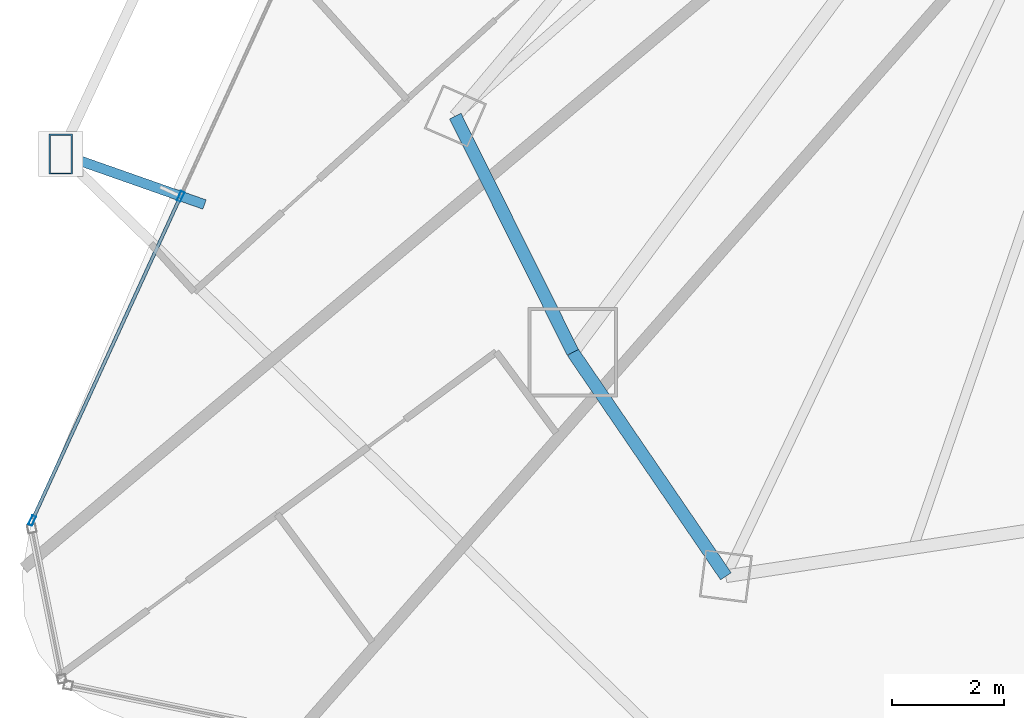
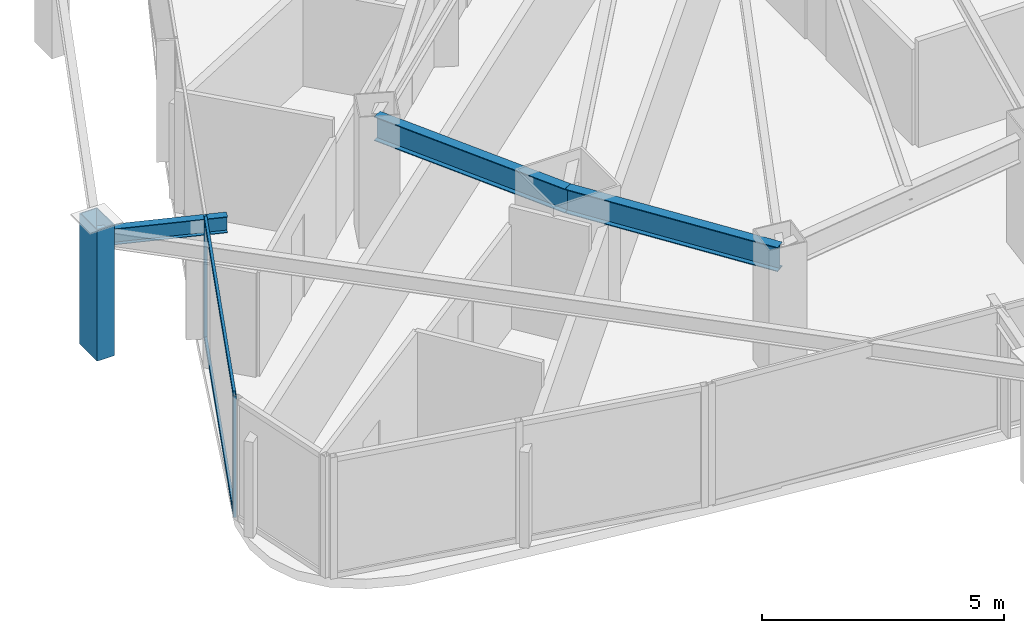
# One storey, part 5 of 38: 5 members, 3 beams, 1 element without a shape of its own.
"""IFC4 building model written with IfcOpenShell, lengths in metres."""

from ifc_helpers import new_model, si_unit, direction, frame, origin, origin_2d, place, context, subcontext, project, spatial, hollow_rectangle, i_section, extrude, material, layer, layer_set, material_profile, profile_set, type_object, element, aggregate, save


model = new_model("IFC4")

# Units and contexts
model_context = context("Model", 3, precision=1e-05, world=origin(), true_north=direction((0.0, 1.0)))
body_context = subcontext(model_context, "Body", "Model", "MODEL_VIEW")
ifc_project = project(units=[si_unit("LENGTHUNIT", "METRE"), si_unit("AREAUNIT", "SQUARE_METRE"), si_unit("VOLUMEUNIT", "CUBIC_METRE"), si_unit("PLANEANGLEUNIT", "RADIAN"), si_unit("MASSUNIT", "GRAM", prefix="KILO")], contexts=[model_context])

# Site, building, storey
site_placement = place(None, origin())
site = spatial("IfcSite", under=ifc_project, at=site_placement, CompositionType="ELEMENT")
building_placement = place(site_placement, origin())
building = spatial("IfcBuilding", under=site, at=building_placement, Name="Orvanel Arch Residences", CompositionType="ELEMENT")
storey_placement = place(building_placement, frame((0.0, 0.0, 50.0)))
storey = spatial("IfcBuildingStorey", under=building, at=storey_placement, Name="L13", CompositionType="ELEMENT", Elevation=50.0)

# Member
ifc_material_1 = material(Name="Structural steel AS/NZS 3678 Grade 350", Category="steel")
ifc_material_profile_1 = material_profile(ifc_material_1, hollow_rectangle(XDim=0.419921875, YDim=0.719970703125, WallThickness=0.02490234375, at=origin_2d()), Name="RHS720x420x25")
ifc_profile_set_1 = profile_set([ifc_material_profile_1], Name="Structural steel AS/NZS 3678 Grade 350")
member_type_1 = type_object("IfcMemberType", Name="CH-720RHS-EXT", PredefinedType="CHORD", material=ifc_profile_set_1)
member_1_placement = place(storey_placement, frame((5.029052734375, 13.90087890625, 0.0), z_axis=(0.0, 0.0, 1.0), x_axis=(1.0, 0.0, 0.0)))
element("IfcMember", 1, at=member_1_placement, inside=storey, type_object=member_type_1, Name="L13 Outer Perimeter Frame Post 04", PredefinedType="CHORD", context=body_context, shape_type="SweptSolid", body=[
    extrude(hollow_rectangle(XDim=0.419921875, YDim=0.719970703125, WallThickness=0.02490234375, at=origin_2d()), origin(), (0.0, 0.0, 1.0), 3.300048828125),
])

# Curtain wall, members
ifc_material_2 = material(Name="Bronze-anodised aluminium AA6063-T6", Category="aluminium")
ifc_layer = layer(ifc_material_2, 0.179931640625)
ifc_layer_set = layer_set([ifc_layer], Name="Bronze-anodised aluminium AA6063-T6")
curtain_wall_type = type_object("IfcCurtainWallType", Name="CW2-LOW-SYS", PredefinedType="NOTDEFINED", material=ifc_layer_set)
curtain_wall_placement = place(storey_placement, origin())
curtain_wall = element("IfcCurtainWall", 2, at=curtain_wall_placement, inside=storey, type_object=curtain_wall_type, Name="L13 CW2-LOW-SYS Unitised Curtain Wall", PredefinedType="NOTDEFINED")
ifc_material_profile_2 = material_profile(ifc_material_2, hollow_rectangle(XDim=0.070068359375, YDim=0.179931640625, WallThickness=0.00439453125, at=origin_2d()), Name="ALU180x70x4.5")
ifc_profile_set_2 = profile_set([ifc_material_profile_2], Name="Bronze-anodised aluminium AA6063-T6")
member_type_2 = type_object("IfcMemberType", Name="MUL-180x70", PredefinedType="MULLION", material=ifc_profile_set_2)
member_2_placement = place(storey_placement, frame((7.17529296875, 13.1435546875, 0.0), z_axis=(0.0, 0.0, 1.0), x_axis=(0.909193369398, -0.416374131092, 0.0)))
member_2 = element("IfcMember", 3, at=member_2_placement, type_object=member_type_2, Name="CW-S2 mullion 3", PredefinedType="MULLION", context=body_context, shape_type="SweptSolid", body=[
    extrude(hollow_rectangle(XDim=0.070068359375, YDim=0.179931640625, WallThickness=0.00439453125, at=origin_2d()), origin(), (0.0, 0.0, 1.0), 3.06005859375),
])
member_3_placement = place(storey_placement, frame((4.515625, 7.3359375, 0.0), z_axis=(0.0, 0.0, 1.0), x_axis=(0.909193369398, -0.416374131092, 0.0)))
member_3 = element("IfcMember", 4, at=member_3_placement, type_object=member_type_2, Name="CW-S2 mullion 4", PredefinedType="MULLION", context=body_context, shape_type="SweptSolid", body=[
    extrude(hollow_rectangle(XDim=0.070068359375, YDim=0.179931640625, WallThickness=0.00439453125, at=origin_2d()), origin(), (0.0, 0.0, 1.0), 3.06005859375),
])

# Beams
ifc_material_3 = material(Name="Structural steel AS/NZS 3679.1 Grade 300 (300 MPa)", Category="steel")
ifc_material_profile_3 = material_profile(ifc_material_3, i_section(OverallWidth=0.177978515625, OverallDepth=0.406005859375, WebThickness=0.0078125, FlangeThickness=0.0126953125, at=origin_2d()), Name="410UB59.7")
ifc_profile_set_3 = profile_set([ifc_material_profile_3], Name="Structural steel AS/NZS 3679.1 Grade 300 (300 MPa)")
beam_type_1 = type_object("IfcBeamType", Name="OB-410UB-EXT", PredefinedType="SPANDREL", material=ifc_profile_set_3)
beam_1_placement = place(storey_placement, frame((7.60302734375, 12.9970703125, 2.85693359375), z_axis=(-0.94352441952, 0.331302987865, 0.0), x_axis=(-0.331302987865, -0.94352441952, 0.0)))
element("IfcBeam", 5, at=beam_1_placement, inside=storey, type_object=beam_type_1, Name="L13 Outer Frame Radial Tie Beam 04", PredefinedType="SPANDREL", context=body_context, shape_type="SweptSolid", body=[
    extrude(i_section(OverallWidth=0.177978515625, OverallDepth=0.406005859375, WebThickness=0.0078125, FlangeThickness=0.0126953125, at=origin_2d()), origin(), (0.0, 0.0, 1.0), 2.72802734375),
])
ifc_material_profile_4 = material_profile(ifc_material_3, i_section(OverallWidth=0.22900390625, OverallDepth=0.612060546875, WebThickness=0.011962890625, FlangeThickness=0.01953125, at=origin_2d()), Name="610UB125")
ifc_profile_set_4 = profile_set([ifc_material_profile_4], Name="Structural steel AS/NZS 3679.1 Grade 300 (300 MPa)")
beam_type_2 = type_object("IfcBeamType", Name="SP-610UB", PredefinedType="SPANDREL", material=ifc_profile_set_4)
beam_2_placement = place(storey_placement, frame((12.094970703125, 14.580078125, 2.75390625), z_axis=(0.44543469453, -0.895314432425, 0.0), x_axis=(0.895314432425, 0.44543469453, 0.0)))
element("IfcBeam", 6, at=beam_2_placement, inside=storey, type_object=beam_type_2, Name="L13 Perimeter Spandrel Beam 02", PredefinedType="SPANDREL", context=body_context, shape_type="SweptSolid", body=[
    extrude(i_section(OverallWidth=0.22900390625, OverallDepth=0.612060546875, WebThickness=0.011962890625, FlangeThickness=0.01953125, at=origin_2d()), origin(), (0.0, 0.0, 1.0), 4.723388671875),
])
beam_3_placement = place(storey_placement, frame((14.198974609375, 10.35107421875, 2.75390625), z_axis=(0.564251579852, -0.825602903722, 0.0), x_axis=(0.825602903722, 0.564251579852, 0.0)))
element("IfcBeam", 7, at=beam_3_placement, inside=storey, type_object=beam_type_2, Name="L13 Perimeter Spandrel Beam 03", PredefinedType="SPANDREL", context=body_context, shape_type="SweptSolid", body=[
    extrude(i_section(OverallWidth=0.22900390625, OverallDepth=0.612060546875, WebThickness=0.011962890625, FlangeThickness=0.01953125, at=origin_2d()), origin(), (0.0, 0.0, 1.0), 4.859375),
])

# Member
ifc_material_profile_5 = material_profile(ifc_material_2, hollow_rectangle(XDim=0.06005859375, YDim=0.135009765625, WallThickness=0.00390625, at=origin_2d()), Name="ALU135x60x4")
ifc_profile_set_5 = profile_set([ifc_material_profile_5], Name="Bronze-anodised aluminium AA6063-T6")
member_type_3 = type_object("IfcMemberType", Name="TRN-135x60", PredefinedType="USERDEFINED", material=ifc_profile_set_5)
member_4_placement = place(storey_placement, frame((7.16064453125, 13.11181640625, 0.030029296875), z_axis=(-0.416377925515, -0.909191631695, 0.0), x_axis=(0.909191631695, -0.416377925515, 0.0)))
member_4 = element("IfcMember", 8, at=member_4_placement, type_object=member_type_3, Name="CW-S2 transom 3.1", ObjectType="TRANSOM", PredefinedType="USERDEFINED", context=body_context, shape_type="SweptSolid", body=[
    extrude(hollow_rectangle(XDim=0.06005859375, YDim=0.135009765625, WallThickness=0.00390625, at=origin_2d()), origin(), (0.0, 0.0, 1.0), 6.31787109375),
])

member_5_placement = place(storey_placement, frame((7.16064453125, 13.11181640625, 3.030029296875), z_axis=(-0.416377925515, -0.909191631695, 0.0), x_axis=(0.909191631695, -0.416377925515, 0.0)))
member_5 = element("IfcMember", 9, at=member_5_placement, type_object=member_type_3, Name="CW-S2 transom 3.2", ObjectType="TRANSOM", PredefinedType="USERDEFINED", context=body_context, shape_type="SweptSolid", body=[
    extrude(hollow_rectangle(XDim=0.06005859375, YDim=0.135009765625, WallThickness=0.00390625, at=origin_2d()), origin(), (0.0, 0.0, 1.0), 6.31787109375),
])

aggregate(curtain_wall, [member_2, member_3, member_4, member_5])

save(model, "model.ifc")
